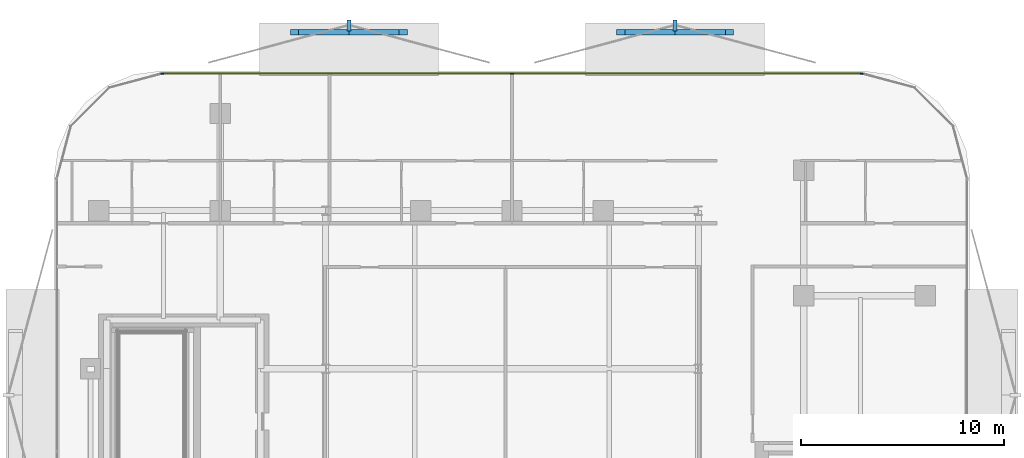
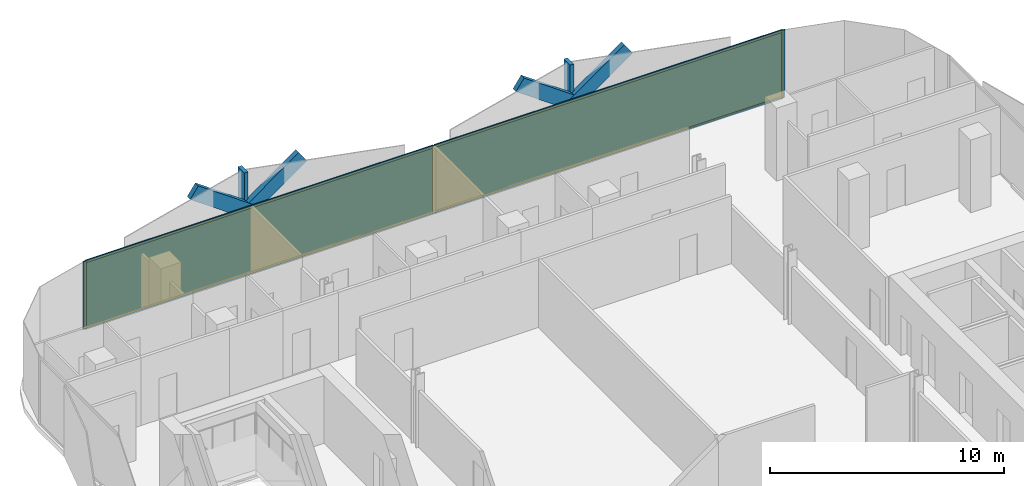
# One storey, part 12 of 17: 13 members, 2 plates, 1 curtain wall.
"""IFC4 building model written with IfcOpenShell, lengths in metres."""

from ifc_helpers import new_model, si_unit, direction, frame, frame_2d, origin, origin_2d, place, context, subcontext, project, spatial, rectangle, extrude, material, layer, layer_set, material_profile, profile_set, type_object, element, aggregate, save


model = new_model("IFC4")

# Units and contexts
model_context = context("Model", 3, precision=1e-05, world=origin(), true_north=direction((0.0, 1.0)))
body_context = subcontext(model_context, "Body", "Model", "MODEL_VIEW")
ifc_project = project(units=[si_unit("LENGTHUNIT", "METRE"), si_unit("AREAUNIT", "SQUARE_METRE"), si_unit("VOLUMEUNIT", "CUBIC_METRE"), si_unit("PLANEANGLEUNIT", "RADIAN"), si_unit("MASSUNIT", "GRAM", prefix="KILO")], contexts=[model_context])

# Member
ifc_material_1 = material(Name="Anodised Bronze Aluminium 6063-T6", Category="aluminium")
ifc_material_profile_1 = material_profile(ifc_material_1, rectangle(XDim=0.260009765625, YDim=0.699951171875, at=origin_2d()))
ifc_profile_set_1 = profile_set([ifc_material_profile_1], Name="Anodised Bronze Aluminium 6063-T6")
member_type_1 = type_object("IfcMemberType", Name="Bronze Diamond Solar-Screen Lattice Rib BDL-700", PredefinedType="MULLION", material=ifc_profile_set_1)
site_placement = place(None, origin())
building_placement = place(site_placement, origin())
storey_placement = place(building_placement, frame((0.0, 0.0, 176.39990234375)))
member_1_placement = place(storey_placement, frame((-10.727294921875, 27.39990234375, -0.1298828125), z_axis=(0.815973383103, 0.0, 0.578089472372), x_axis=(0.0, 1.0, 0.0)))
member_1 = element("IfcMember", 1, at=member_1_placement, type_object=member_type_1, Name="L40 Bronze Diamond Solar Screen Lattice Rib 261A", PredefinedType="MULLION", context=body_context, shape_type="SweptSolid", body=[
    extrude(rectangle(XDim=0.260009765625, YDim=0.699951171875, at=origin_2d()), origin(), (0.0, 0.0, 1.0), 6.573486328125),
])

member_2_placement = place(storey_placement, frame((-5.363525390625, 27.39990234375, -0.1298828125), z_axis=(-0.815973383103, 0.0, 0.578089472372), x_axis=(0.0, -1.0, 0.0)))
member_2 = element("IfcMember", 2, at=member_2_placement, type_object=member_type_1, Name="L40 Bronze Diamond Solar Screen Lattice Rib 261B", PredefinedType="MULLION", context=body_context, shape_type="SweptSolid", body=[
    extrude(rectangle(XDim=0.260009765625, YDim=0.699951171875, at=origin_2d()), origin(), (0.0, 0.0, 1.0), 6.573486328125),
])

member_3_placement = place(storey_placement, frame((5.363525390625, 27.39990234375, -0.1298828125), z_axis=(0.815973383103, 0.0, 0.578089472372), x_axis=(0.0, 1.0, 0.0)))
member_3 = element("IfcMember", 3, at=member_3_placement, type_object=member_type_1, Name="L40 Bronze Diamond Solar Screen Lattice Rib 262A", PredefinedType="MULLION", context=body_context, shape_type="SweptSolid", body=[
    extrude(rectangle(XDim=0.260009765625, YDim=0.699951171875, at=origin_2d()), origin(), (0.0, 0.0, 1.0), 6.573486328125),
])

member_4_placement = place(storey_placement, frame((10.727294921875, 27.39990234375, -0.1298828125), z_axis=(-0.815973383103, 0.0, 0.578089472372), x_axis=(0.0, -1.0, 0.0)))
member_4 = element("IfcMember", 4, at=member_4_placement, type_object=member_type_1, Name="L40 Bronze Diamond Solar Screen Lattice Rib 262B", PredefinedType="MULLION", context=body_context, shape_type="SweptSolid", body=[
    extrude(rectangle(XDim=0.260009765625, YDim=0.699951171875, at=origin_2d()), origin(), (0.0, 0.0, 1.0), 6.573486328125),
])

ifc_material_2 = material(Name="Anodised Bronze Aluminium 6063-T6", Category="aluminium")
ifc_material_profile_2 = material_profile(ifc_material_2, rectangle(XDim=0.179931640625, YDim=0.5400390625, at=origin_2d()))
ifc_profile_set_2 = profile_set([ifc_material_profile_2], Name="Anodised Bronze Aluminium 6063-T6")
member_type_2 = type_object("IfcMemberType", Name="Bronze Solar-Screen Vertical Fold Fin BSF-540", PredefinedType="MULLION", material=ifc_profile_set_2)
member_5_placement = place(storey_placement, frame((-8.04541015625, 27.739990234375, -0.1298828125), z_axis=(0.0, 0.0, 1.0), x_axis=(1.0, 0.0, 0.0)))
member_5 = element("IfcMember", 5, at=member_5_placement, type_object=member_type_2, Name="L40 Bronze Solar Screen Vertical Fin 261", PredefinedType="MULLION", context=body_context, shape_type="SweptSolid", body=[
    extrude(rectangle(XDim=0.179931640625, YDim=0.5400390625, at=origin_2d()), origin(), (0.0, 0.0, 1.0), 3.800048828125),
])

member_6_placement = place(storey_placement, frame((8.04541015625, 27.739990234375, -0.1298828125), z_axis=(0.0, 0.0, 1.0), x_axis=(1.0, 0.0, 0.0)))
member_6 = element("IfcMember", 6, at=member_6_placement, type_object=member_type_2, Name="L40 Bronze Solar Screen Vertical Fin 262", PredefinedType="MULLION", context=body_context, shape_type="SweptSolid", body=[
    extrude(rectangle(XDim=0.179931640625, YDim=0.5400390625, at=origin_2d()), origin(), (0.0, 0.0, 1.0), 3.800048828125),
])

ifc_material_3 = material(Name="Anodised Bronze Aluminium 6063-T6", Category="aluminium")
ifc_material_profile_3 = material_profile(ifc_material_3, rectangle(XDim=0.06005859375, YDim=0.1650390625, at=origin_2d()))
ifc_profile_set_3 = profile_set([ifc_material_profile_3], Name="Anodised Bronze Aluminium 6063-T6")
member_type_3 = type_object("IfcMemberType", Name="CW-Z3 Mullion 60x165", PredefinedType="MULLION", material=ifc_profile_set_3)
member_7_placement = place(storey_placement, frame((-17.2607421875, 25.360107421875, 0.0), z_axis=(0.0, 0.0, 1.0), x_axis=(0.0, 1.0, 0.0)))
member_7 = element("IfcMember", 7, at=member_7_placement, type_object=member_type_3, Name="CW-Z3 mullion 1", PredefinedType="MULLION", context=body_context, shape_type="SweptSolid", body=[
    extrude(rectangle(XDim=0.06005859375, YDim=0.1650390625, at=origin_2d()), origin(), (0.0, 0.0, 1.0), 3.5400390625),
])

member_8_placement = place(storey_placement, frame((0.0, 25.360107421875, 0.0), z_axis=(0.0, 0.0, 1.0), x_axis=(0.0, 1.0, 0.0)))
member_8 = element("IfcMember", 8, at=member_8_placement, type_object=member_type_3, Name="CW-Z3 mullion 2", PredefinedType="MULLION", context=body_context, shape_type="SweptSolid", body=[
    extrude(rectangle(XDim=0.06005859375, YDim=0.1650390625, at=origin_2d()), origin(), (0.0, 0.0, 1.0), 3.5400390625),
])

member_9_placement = place(storey_placement, frame((17.2607421875, 25.360107421875, 0.0), z_axis=(0.0, 0.0, 1.0), x_axis=(0.0, 1.0, 0.0)))
member_9 = element("IfcMember", 9, at=member_9_placement, type_object=member_type_3, Name="CW-Z3 mullion 3", PredefinedType="MULLION", context=body_context, shape_type="SweptSolid", body=[
    extrude(rectangle(XDim=0.06005859375, YDim=0.1650390625, at=origin_2d()), origin(), (0.0, 0.0, 1.0), 3.5400390625),
])

ifc_material_4 = material(Name="Anodised Bronze Aluminium 6063-T6", Category="aluminium")
ifc_material_profile_4 = material_profile(ifc_material_4, rectangle(XDim=0.06005859375, YDim=0.1298828125, at=origin_2d()))
ifc_profile_set_4 = profile_set([ifc_material_profile_4], Name="Anodised Bronze Aluminium 6063-T6")
member_type_4 = type_object("IfcMemberType", Name="CW-Z3 Transom 60x130", PredefinedType="USERDEFINED", material=ifc_profile_set_4)
member_10_placement = place(storey_placement, frame((-17.230712890625, 25.360107421875, 0.030029296875), z_axis=(1.0, 0.0, 0.0), x_axis=(0.0, 1.0, 0.0)))
member_10 = element("IfcMember", 10, at=member_10_placement, type_object=member_type_4, Name="CW-Z3 transom 1.1", ObjectType="TRANSOM", PredefinedType="USERDEFINED", context=body_context, shape_type="SweptSolid", body=[
    extrude(rectangle(XDim=0.06005859375, YDim=0.1298828125, at=origin_2d()), origin(), (0.0, 0.0, 1.0), 17.20068359375),
])

member_11_placement = place(storey_placement, frame((-17.230712890625, 25.360107421875, 3.510009765625), z_axis=(1.0, 0.0, 0.0), x_axis=(0.0, 1.0, 0.0)))
member_11 = element("IfcMember", 11, at=member_11_placement, type_object=member_type_4, Name="CW-Z3 transom 1.2", ObjectType="TRANSOM", PredefinedType="USERDEFINED", context=body_context, shape_type="SweptSolid", body=[
    extrude(rectangle(XDim=0.06005859375, YDim=0.1298828125, at=origin_2d()), origin(), (0.0, 0.0, 1.0), 17.20068359375),
])

member_12_placement = place(storey_placement, frame((0.030029296875, 25.360107421875, 0.030029296875), z_axis=(1.0, 0.0, 0.0), x_axis=(0.0, 1.0, 0.0)))
member_12 = element("IfcMember", 12, at=member_12_placement, type_object=member_type_4, Name="CW-Z3 transom 2.1", ObjectType="TRANSOM", PredefinedType="USERDEFINED", context=body_context, shape_type="SweptSolid", body=[
    extrude(rectangle(XDim=0.06005859375, YDim=0.1298828125, at=origin_2d()), origin(), (0.0, 0.0, 1.0), 17.20068359375),
])

member_13_placement = place(storey_placement, frame((0.030029296875, 25.360107421875, 3.510009765625), z_axis=(1.0, 0.0, 0.0), x_axis=(0.0, 1.0, 0.0)))
member_13 = element("IfcMember", 13, at=member_13_placement, type_object=member_type_4, Name="CW-Z3 transom 2.2", ObjectType="TRANSOM", PredefinedType="USERDEFINED", context=body_context, shape_type="SweptSolid", body=[
    extrude(rectangle(XDim=0.06005859375, YDim=0.1298828125, at=origin_2d()), origin(), (0.0, 0.0, 1.0), 17.20068359375),
])

# Plate
ifc_material_5 = material(Name="Low-E Solar Control Laminated Glass", Category="glass")
ifc_layer_1 = layer(ifc_material_5, 0.030029296875, Name="Low-E Solar Control Laminated Glass")
ifc_layer_set_1 = layer_set([ifc_layer_1], Name="Low-E Solar Control Laminated Glass")
plate_type = type_object("IfcPlateType", Name="CW-Z3 Low-E Double Glazed Panel 30mm", PredefinedType="CURTAIN_PANEL", material=ifc_layer_set_1)
plate_1_placement = place(storey_placement, frame((-8.63037109375, 25.360107421875, 0.06005859375), z_axis=(0.0, 0.0, 1.0), x_axis=(1.0, 0.0, 0.0)))
plate_1 = element("IfcPlate", 14, at=plate_1_placement, type_object=plate_type, Name="CW-Z3 panel 1.1", PredefinedType="CURTAIN_PANEL", context=body_context, shape_type="SweptSolid", body=[
    extrude(rectangle(XDim=17.20068359375, YDim=0.030029296875, at=origin_2d()), origin(), (0.0, 0.0, 1.0), 3.419921875),
])

plate_2_placement = place(storey_placement, frame((8.63037109375, 25.360107421875, 0.06005859375), z_axis=(0.0, 0.0, 1.0), x_axis=(1.0, 0.0, 0.0)))
plate_2 = element("IfcPlate", 15, at=plate_2_placement, type_object=plate_type, Name="CW-Z3 panel 2.1", PredefinedType="CURTAIN_PANEL", context=body_context, shape_type="SweptSolid", body=[
    extrude(rectangle(XDim=17.20068359375, YDim=0.030029296875, at=origin_2d()), origin(), (0.0, 0.0, 1.0), 3.419921875),
])

# Site, building, storey
site = spatial("IfcSite", under=ifc_project, at=site_placement, CompositionType="ELEMENT")
building = spatial("IfcBuilding", under=site, at=building_placement, Name="Khairoan Windgate Tower", CompositionType="ELEMENT")
storey = spatial("IfcBuildingStorey", under=building, at=storey_placement, Name="L40", CompositionType="ELEMENT", Elevation=176.39990234375)

# Curtain wall
ifc_material_6 = material(Name="Anodised Bronze Aluminium 6063-T6", Category="aluminium")
ifc_layer_2 = layer(ifc_material_6, 0.1650390625, Name="Anodised Bronze Aluminium 6063-T6")
ifc_layer_set_2 = layer_set([ifc_layer_2], Name="Anodised Bronze Aluminium 6063-T6")
curtain_wall_type = type_object("IfcCurtainWallType", Name="Luxury Hotel Acoustic Curtain Wall CW-Z3", PredefinedType="NOTDEFINED", material=ifc_layer_set_2)
curtain_wall_placement = place(storey_placement, frame((-17.290771484375, 25.360107421875, 0.0), z_axis=(0.0, 0.0, 1.0), x_axis=(1.0, 0.0, 0.0)))
curtain_wall = element("IfcCurtainWall", 16, at=curtain_wall_placement, inside=storey, type_object=curtain_wall_type, Name="L40 Unitised Curtain Wall 9", PredefinedType="NOTDEFINED", context=body_context, shape_type="SweptSolid", body=[
    extrude(rectangle(XDim=34.58154296875, YDim=0.010009765625, at=frame_2d((17.290771484375, 0.0))), origin(), (0.0, 0.0, 1.0), 3.5400390625),
])

aggregate(curtain_wall, [member_7, member_8, member_9, member_10, member_11, plate_1, member_12, member_13, plate_2, member_1, member_2, member_5, member_3, member_4, member_6])

save(model, "model.ifc")
